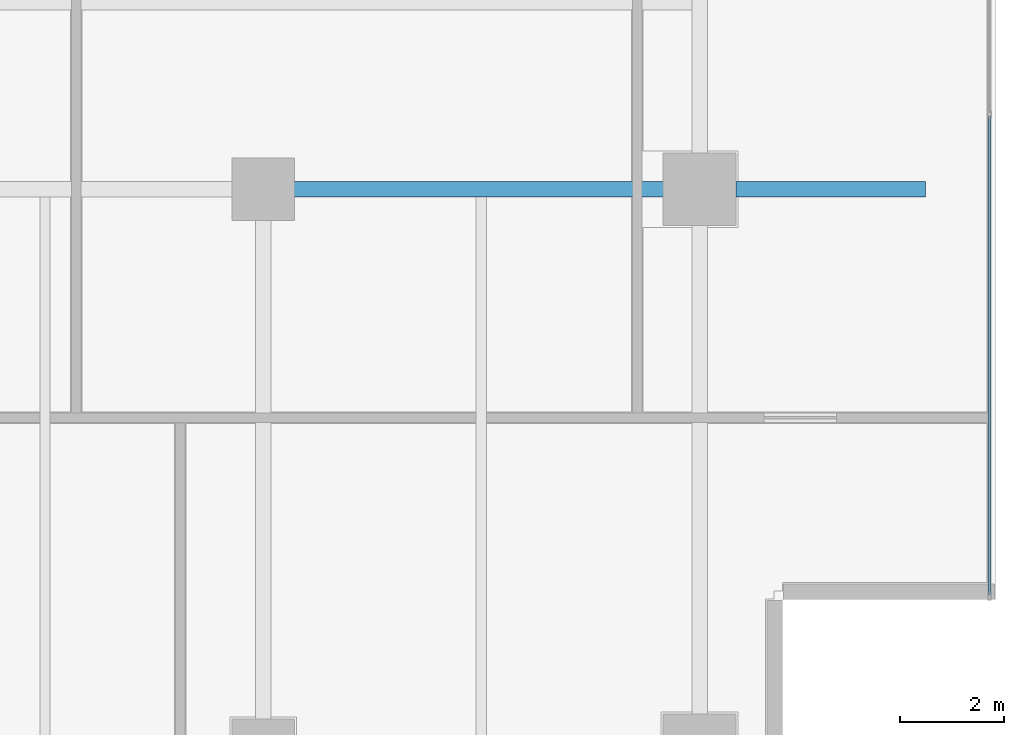
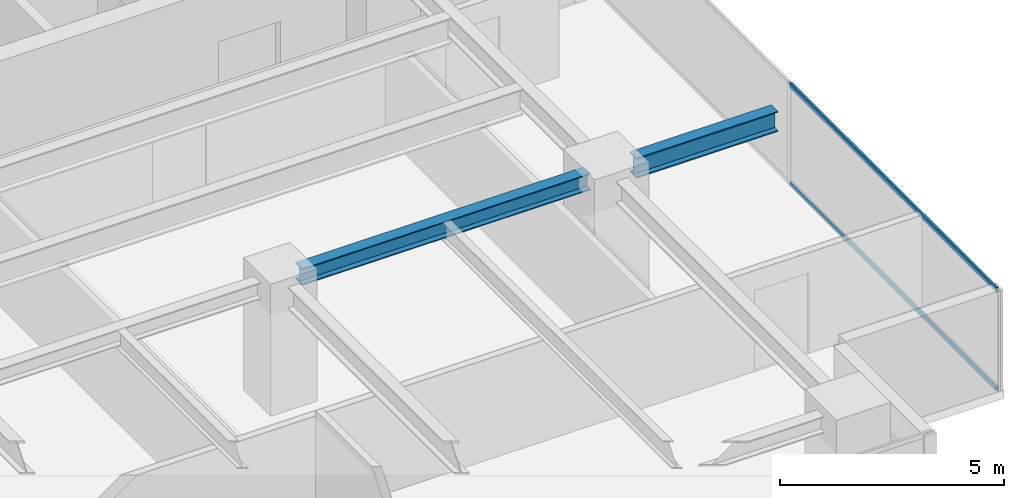
# One storey, part 12 of 25: 2 beams, 2 members, 1 element without a shape of its own.
"""IFC4 building model written with IfcOpenShell, lengths in metres."""

from ifc_helpers import new_model, si_unit, direction, frame, origin, origin_2d, place, context, subcontext, project, spatial, hollow_rectangle, i_section, extrude, source, transform, mapped, material, layer, layer_set, material_profile, profile_set, type_object, element, aggregate, save


model = new_model("IFC4")

# Units and contexts
model_context = context("Model", 3, precision=1e-05, world=origin(), true_north=direction((0.0, 1.0)))
body_context = subcontext(model_context, "Body", "Model", "MODEL_VIEW")
ifc_project = project(units=[si_unit("LENGTHUNIT", "METRE"), si_unit("AREAUNIT", "SQUARE_METRE"), si_unit("VOLUMEUNIT", "CUBIC_METRE"), si_unit("PLANEANGLEUNIT", "RADIAN"), si_unit("MASSUNIT", "GRAM", prefix="KILO")], contexts=[model_context])

# Site, building, storey
site_placement = place(None, origin())
site = spatial("IfcSite", under=ifc_project, at=site_placement, CompositionType="ELEMENT")
building_placement = place(site_placement, origin())
building = spatial("IfcBuilding", under=site, at=building_placement, Name="Sumidabori Civic Tower", CompositionType="ELEMENT")
storey_placement = place(building_placement, frame((0.0, 0.0, 268.39990234375)))
storey = spatial("IfcBuildingStorey", under=building, at=storey_placement, Name="L70", CompositionType="ELEMENT", Elevation=268.39990234375)

# Beams
ifc_material_1 = material(Name="Steel SN490", Category="steel")
ifc_material_profile_1 = material_profile(ifc_material_1, i_section(OverallWidth=0.300048828125, OverallDepth=0.449951171875, WebThickness=0.013916015625, FlangeThickness=0.02587890625, at=origin_2d()), Name="HE 450 B")
ifc_profile_set_1 = profile_set([ifc_material_profile_1], Name="Steel SN490")
beam_type_1 = type_object("IfcBeamType", Name="BM-GIRD-450", PredefinedType="BEAM", material=ifc_profile_set_1)
shared_shape_1 = source(origin(), body_context, "Body", "SweptSolid", [
    extrude(i_section(OverallWidth=0.300048828125, OverallDepth=0.449951171875, WebThickness=0.013916015625, FlangeThickness=0.02587890625, at=origin_2d()), origin(), (0.0, 0.0, 1.0), 7.440185546875),
])
beam_1_placement = place(storey_placement, frame((8.8798828125, 0.0, 3.14501953125), z_axis=(1.0, 0.0, 0.0), x_axis=(0.0, 1.0, 0.0)))
element("IfcBeam", 1, at=beam_1_placement, inside=storey, type_object=beam_type_1, Name="Primary Girder L70 GX-08", PredefinedType="BEAM", context=body_context, shape_type="MappedRepresentation", body=[
    mapped(shared_shape_1, transform((0.0, 0.0, 0.0), x_axis=(1.0, 0.0, 0.0), y_axis=(0.0, 1.0, 0.0), z_axis=(0.0, 0.0, 1.0), scale=1.0)),
])
ifc_material_profile_2 = material_profile(ifc_material_1, i_section(OverallWidth=0.300048828125, OverallDepth=0.550048828125, WebThickness=0.014892578125, FlangeThickness=0.029052734375, at=origin_2d()), Name="HE 550 B")
ifc_profile_set_2 = profile_set([ifc_material_profile_2], Name="Steel SN490")
beam_type_2 = type_object("IfcBeamType", Name="BM-Z4-EDGE", PredefinedType="SPANDREL", material=ifc_profile_set_2)
shared_shape_2 = source(origin(), body_context, "Body", "SweptSolid", [
    extrude(i_section(OverallWidth=0.300048828125, OverallDepth=0.550048828125, WebThickness=0.014892578125, FlangeThickness=0.029052734375, at=origin_2d()), origin(), (0.0, 0.0, 1.0), 3.64990234375),
])
beam_2_placement = place(storey_placement, frame((17.5, 0.0, 3.09521484375), z_axis=(1.0, 0.0, 0.0), x_axis=(0.0, 1.0, 0.0)))
element("IfcBeam", 2, at=beam_2_placement, inside=storey, type_object=beam_type_2, Name="Perimeter Overhang Beam L70 E-18", PredefinedType="SPANDREL", context=body_context, shape_type="MappedRepresentation", body=[
    mapped(shared_shape_2, transform((0.0, 0.0, 0.0), x_axis=(1.0, 0.0, 0.0), y_axis=(0.0, 1.0, 0.0), z_axis=(0.0, 0.0, 1.0), scale=1.0)),
])

# Curtain wall, members
ifc_material_2 = material(Name="Anodised Bronze Aluminium AW-6063-T6", Category="aluminium")
ifc_layer = layer(ifc_material_2, 0.179931640625, Name="Anodised Bronze Aluminium AW-6063-T6")
ifc_layer_set = layer_set([ifc_layer], Name="Anodised Bronze Aluminium AW-6063-T6")
curtain_wall_type = type_object("IfcCurtainWallType", Name="CW-SYS-5", PredefinedType="NOTDEFINED", material=ifc_layer_set)
curtain_wall_placement = place(storey_placement, origin())
curtain_wall = element("IfcCurtainWall", 3, at=curtain_wall_placement, inside=storey, type_object=curtain_wall_type, Name="Curtain Wall CW:L70:R04", PredefinedType="NOTDEFINED")
ifc_material_profile_3 = material_profile(ifc_material_2, hollow_rectangle(XDim=0.06005859375, YDim=0.1298828125, WallThickness=0.0048828125, at=origin_2d()), Name="ALU TRANSOM 130x60")
ifc_profile_set_3 = profile_set([ifc_material_profile_3], Name="Anodised Bronze Aluminium AW-6063-T6")
member_type = type_object("IfcMemberType", Name="CW-TRN-130", PredefinedType="USERDEFINED", material=ifc_profile_set_3)
shared_shape_3 = source(origin(), body_context, "Body", "SweptSolid", [
    extrude(hollow_rectangle(XDim=0.06005859375, YDim=0.1298828125, WallThickness=0.0048828125, at=origin_2d()), origin(), (0.0, 0.0, 1.0), 9.223388671875),
])
member_1_placement = place(storey_placement, frame((22.3798828125, -7.81005859375, 0.030029296875), z_axis=(0.0, 1.0, 0.0), x_axis=(-1.0, 0.0, 0.0)))
member_1 = element("IfcMember", 4, at=member_1_placement, type_object=member_type, Name="CW-5 transom 1.1", ObjectType="TRANSOM", PredefinedType="USERDEFINED", context=body_context, shape_type="MappedRepresentation", body=[
    mapped(shared_shape_3, transform((0.0, 0.0, 0.0), x_axis=(1.0, 0.0, 0.0), y_axis=(0.0, 1.0, 0.0), z_axis=(0.0, 0.0, 1.0), scale=1.0)),
])
member_2_placement = place(storey_placement, frame((22.3798828125, -7.81005859375, 2.72021484375), z_axis=(0.0, 1.0, 0.0), x_axis=(-1.0, 0.0, 0.0)))
member_2 = element("IfcMember", 5, at=member_2_placement, type_object=member_type, Name="CW-5 transom 1.2", ObjectType="TRANSOM", PredefinedType="USERDEFINED", context=body_context, shape_type="MappedRepresentation", body=[
    mapped(shared_shape_3, transform((0.0, 0.0, 0.0), x_axis=(1.0, 0.0, 0.0), y_axis=(0.0, 1.0, 0.0), z_axis=(0.0, 0.0, 1.0), scale=1.0)),
])
aggregate(curtain_wall, [member_1, member_2])

save(model, "model.ifc")
